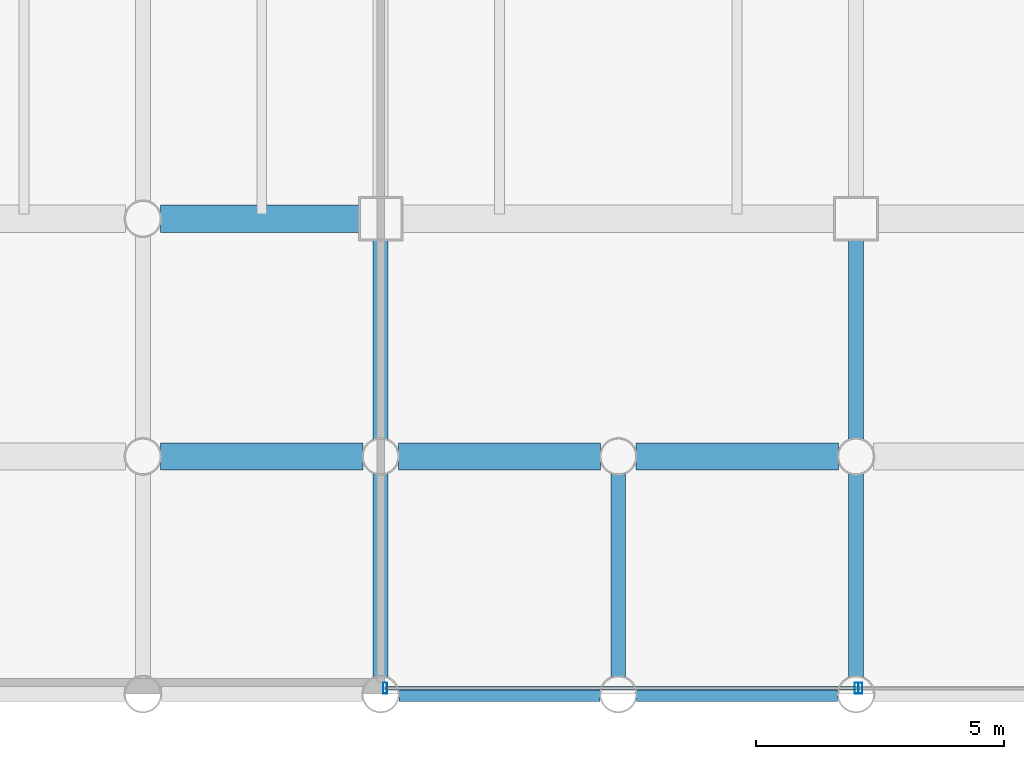
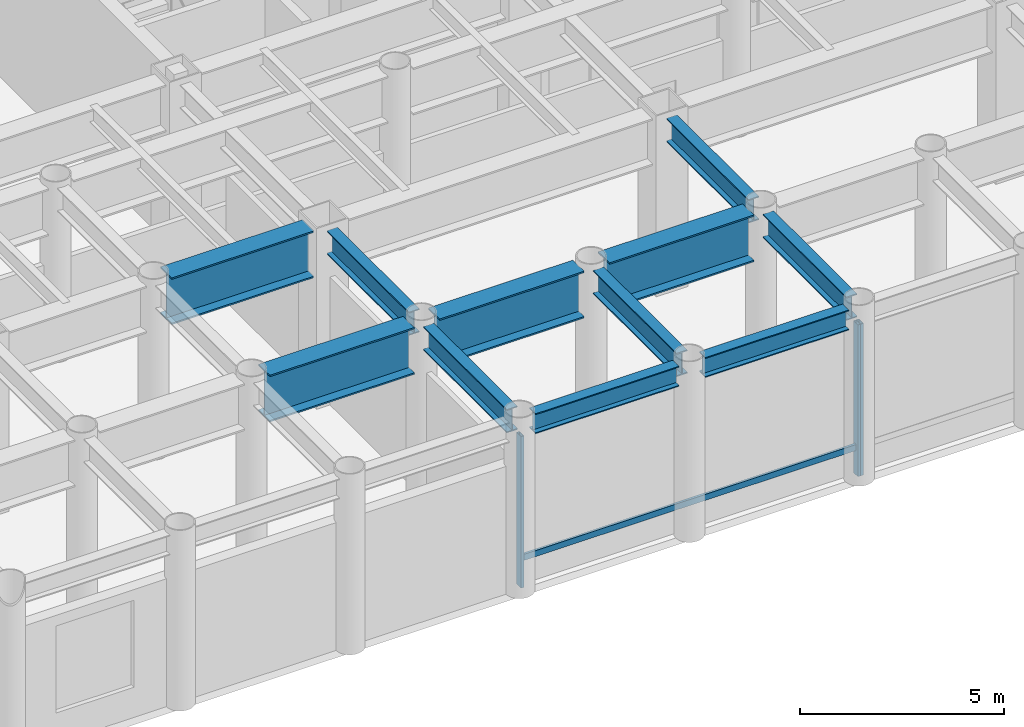
# One storey, part 2 of 20: 11 beams, 4 members, 2 elements without a shape of their own.
"""IFC4 building model written with IfcOpenShell, lengths in metres."""

import ifcopenshell
import ifcopenshell.guid

model = None  # the IFC model being written
_history = None  # IfcOwnerHistory: only IFC2X3 demands one
_inside = {}  # id of a spatial element -> (the spatial element, [elements in it])
_under = {}  # id of a project, library or spatial element -> (it, [spatial elements below it])
_declared = {}  # id of a project -> (the project, [libraries it declares])
_typed = {}  # id of a type object -> (the type object, [elements of that type])
_made_of = {}  # id of a material, layer set ... -> (it, [elements and type objects made of it])


def new_model(schema):
    """Start an empty IFC model of exactly this schema.

    Asked for "IFC4X3", IfcOpenShell would pick the latest addendum, in which some entities
    have other attributes; the version numbers below select the first issue.
    IFC2X3 requires an IfcOwnerHistory on every rooted entity: one is made here for all.
    """
    global model, _history
    if schema == "IFC4X3":
        model = ifcopenshell.file(schema_version=(4, 3, 0, 0))
    else:
        model = ifcopenshell.file(schema=schema)
    _inside.clear()
    _under.clear()
    _declared.clear()
    _typed.clear()
    _made_of.clear()
    _history = None
    if model.schema == "IFC2X3":
        org = make("IfcOrganization", Name="unknown")
        user = make(
            "IfcPersonAndOrganization",
            ThePerson=make("IfcPerson", FamilyName="unknown"),
            TheOrganization=org,
        )
        app = make(
            "IfcApplication",
            ApplicationDeveloper=org,
            Version="unknown",
            ApplicationFullName="unknown",
            ApplicationIdentifier="unknown",
        )
        _history = make(
            "IfcOwnerHistory",
            OwningUser=user,
            OwningApplication=app,
            ChangeAction="ADDED",
            CreationDate=0,
        )
    return model


def make(cls, **values):
    """One entity of the class cls with the attributes given. An attribute that is None is left unset."""
    return model.create_entity(
        cls, **{name: value for name, value in values.items() if value is not None}
    )


def rooted(cls, **values):
    """An entity with a GlobalId (a new one), such as an element, a storey or a relation."""
    return make(cls, GlobalId=ifcopenshell.guid.new(), OwnerHistory=_history, **values)


def si_unit(unit_type, name, prefix=None):
    """IfcSIUnit, for example si_unit("LENGTHUNIT", "METRE", prefix="MILLI")."""
    return make("IfcSIUnit", UnitType=unit_type, Prefix=prefix, Name=name)


def assignment(units):
    """IfcUnitAssignment: the units of a project."""
    return None if units is None else make("IfcUnitAssignment", Units=units)


def point(xyz):
    """IfcCartesianPoint."""
    return None if xyz is None else make("IfcCartesianPoint", Coordinates=xyz)


def direction(xyz):
    """IfcDirection."""
    return None if xyz is None else make("IfcDirection", DirectionRatios=xyz)


def frame(location, z_axis=None, x_axis=None):
    """IfcAxis2Placement3D, a coordinate frame: its origin and axes. An axis left out is left unset."""
    return make(
        "IfcAxis2Placement3D",
        Location=point(location),
        Axis=direction(z_axis),
        RefDirection=direction(x_axis),
    )


def frame_2d(location, x_axis=None):
    """IfcAxis2Placement2D, a coordinate frame in the plane: its origin and x axis."""
    return make(
        "IfcAxis2Placement2D", Location=point(location), RefDirection=direction(x_axis)
    )


def origin():
    """The frame at (0, 0, 0) with its axes left unset."""
    return frame((0.0, 0.0, 0.0))


def origin_2d():
    """The frame at (0, 0) in the plane with its x axis left unset."""
    return frame_2d((0.0, 0.0))


def place(relative_to, where):
    """IfcLocalPlacement: puts the frame where relative to a parent placement (None: the world)."""
    return make(
        "IfcLocalPlacement", PlacementRelTo=relative_to, RelativePlacement=where
    )


def context(
    kind, dimensions, precision=None, world=None, true_north=None, identifier=None
):
    """IfcGeometricRepresentationContext, for example the 3D "Model" context."""
    return make(
        "IfcGeometricRepresentationContext",
        ContextIdentifier=identifier,
        ContextType=kind,
        CoordinateSpaceDimension=dimensions,
        Precision=precision,
        WorldCoordinateSystem=world,
        TrueNorth=true_north,
    )


def subcontext(parent, identifier, kind, view, scale=None):
    """IfcGeometricRepresentationSubContext, for example "Body" below "Model"."""
    return make(
        "IfcGeometricRepresentationSubContext",
        ContextIdentifier=identifier,
        ContextType=kind,
        ParentContext=parent,
        TargetScale=scale,
        TargetView=view,
    )


def project(units=None, contexts=None):
    """IfcProject with its units and contexts."""
    return rooted(
        "IfcProject",
        Name="project",
        RepresentationContexts=contexts,
        UnitsInContext=assignment(units),
    )


def spatial(cls, under=None, at=None, **own):
    """A site, building, storey or space (cls), placed at a placement, below another one or the project."""
    s = rooted(cls, ObjectPlacement=at, **own)
    if under is not None:
        _under.setdefault(under.id(), (under, []))[1].append(s)
    return s


def profile(cls, at=None, kind="AREA", **sizes):
    """A parametric profile (cls). Its sizes go by their IFC names, for example OverallWidth=200.0."""
    return make(cls, ProfileType=kind, Position=at, **sizes)


def hollow_rectangle(**sizes):
    """IfcRectangleHollowProfileDef."""
    return profile("IfcRectangleHollowProfileDef", **sizes)


def i_section(**sizes):
    """IfcIShapeProfileDef."""
    return profile("IfcIShapeProfileDef", **sizes)


def extrude(swept, where, along, depth):
    """IfcExtrudedAreaSolid: the profile swept, set in the frame where, extruded along a direction by depth."""
    return make(
        "IfcExtrudedAreaSolid",
        SweptArea=swept,
        Position=where,
        ExtrudedDirection=direction(along),
        Depth=depth,
    )


def shape(context_of_items, identifier, shape_type, items):
    """IfcShapeRepresentation: the items that make up one representation, for example the "Body"."""
    return make(
        "IfcShapeRepresentation",
        ContextOfItems=context_of_items,
        RepresentationIdentifier=identifier,
        RepresentationType=shape_type,
        Items=items,
    )


def material(Name=None, Category=None):
    """IfcMaterial."""
    return make("IfcMaterial", Name=Name, Category=Category)


def layer(
    of_material, thickness, ventilated=None, Name=None, Category=None, Priority=None
):
    """IfcMaterialLayer: one layer of a wall or slab, of a material (None: an air gap)."""
    return make(
        "IfcMaterialLayer",
        Material=of_material,
        LayerThickness=thickness,
        IsVentilated=ventilated,
        Name=Name,
        Category=Category,
        Priority=Priority,
    )


def layer_set(layers, Name=None):
    """IfcMaterialLayerSet."""
    return make("IfcMaterialLayerSet", MaterialLayers=layers, LayerSetName=Name)


def material_profile(
    of_material, cross_section, Name=None, Category=None, Priority=None
):
    """IfcMaterialProfile: a cross section and its material."""
    return make(
        "IfcMaterialProfile",
        Name=Name,
        Material=of_material,
        Profile=cross_section,
        Priority=Priority,
        Category=Category,
    )


def profile_set(profiles, Name=None, composite=None):
    """IfcMaterialProfileSet."""
    return make(
        "IfcMaterialProfileSet",
        Name=Name,
        MaterialProfiles=profiles,
        CompositeProfile=composite,
    )


def made_of(thing, what):
    """Note that an element or type object is made of a material, layer set ...; save() writes the relation."""
    if what is not None:
        _made_of.setdefault(what.id(), (what, []))[1].append(thing)
    return thing


def type_object(cls, material=None, **own):
    """A type object (cls), such as IfcWallType, which elements share."""
    return made_of(rooted(cls, **own), material)


def element(
    cls,
    number,
    at=None,
    inside=None,
    cuts=None,
    type_object=None,
    material=None,
    context=None,
    identifier="Body",
    shape_type=None,
    held_by="IfcProductDefinitionShape",
    body=None,
    shapes=None,
    **own,
):
    """One element of the class cls, such as IfcWall. Its Tag is "e" and its number.

    at: its placement. inside: the storey or other place that contains it. cuts: it is an
    opening in that element (IfcRelVoidsElement). A single representation is given by context,
    identifier, shape_type and body (its items); several are given by shapes. held_by: the class
    of the entity that holds the representations. save() writes the other relations.
    """
    e = rooted(cls, Tag="e%d" % number, ObjectPlacement=at, **own)
    if body is not None:
        shapes = [shape(context, identifier, shape_type, body)]
    if shapes is not None:
        e.Representation = make(held_by, Representations=shapes)
    if inside is not None:
        _inside.setdefault(inside.id(), (inside, []))[1].append(e)
    if cuts is not None:
        rooted(
            "IfcRelVoidsElement", RelatingBuildingElement=cuts, RelatedOpeningElement=e
        )
    if type_object is not None:
        _typed.setdefault(type_object.id(), (type_object, []))[1].append(e)
    return made_of(e, material)


def aggregate(whole, parts):
    """IfcRelAggregates: a whole, such as a stair, and the parts it consists of."""
    return rooted("IfcRelAggregates", RelatingObject=whole, RelatedObjects=parts)


def save(model, path):
    """Write the relations noted so far, then the file.

    IfcRelAggregates (storeys below a building ...), IfcRelContainedInSpatialStructure (elements
    in a storey), IfcRelDefinesByType, IfcRelAssociatesMaterial and IfcRelDeclares: one each for
    every whole, place, type object, material and project.
    """
    for whole, parts in _under.values():
        aggregate(whole, parts)
    for where, things in _inside.values():
        rooted(
            "IfcRelContainedInSpatialStructure",
            RelatedElements=things,
            RelatingStructure=where,
        )
    for kind, things in _typed.values():
        rooted("IfcRelDefinesByType", RelatedObjects=things, RelatingType=kind)
    for what, things in _made_of.values():
        rooted("IfcRelAssociatesMaterial", RelatedObjects=things, RelatingMaterial=what)
    for by, libraries in _declared.values():
        rooted("IfcRelDeclares", RelatingContext=by, RelatedDefinitions=libraries)
    model.write(path)


model = new_model("IFC4")

# Units and contexts
model_context = context("Model", 3, precision=1e-05, world=origin(), true_north=direction((0.0, 1.0)))
body_context = subcontext(model_context, "Body", "Model", "MODEL_VIEW")
ifc_project = project(units=[si_unit("LENGTHUNIT", "METRE"), si_unit("AREAUNIT", "SQUARE_METRE"), si_unit("VOLUMEUNIT", "CUBIC_METRE"), si_unit("PLANEANGLEUNIT", "RADIAN"), si_unit("MASSUNIT", "GRAM", prefix="KILO")], contexts=[model_context])

# Site, building, storey
site_placement = place(None, origin())
site = spatial("IfcSite", under=ifc_project, at=site_placement, CompositionType="ELEMENT")
building_placement = place(site_placement, origin())
building = spatial("IfcBuilding", under=site, at=building_placement, Name="Kallvorn Hotel Tower", CompositionType="ELEMENT")
storey_placement = place(building_placement, frame((0.0, 0.0, 24.60009765625)))
storey = spatial("IfcBuildingStorey", under=building, at=storey_placement, Name="L04", CompositionType="ELEMENT", Elevation=24.60009765625)

# Beams
ifc_material_1 = material(Name="Structural steel S355JR", Category="steel")
ifc_material_profile_1 = material_profile(ifc_material_1, i_section(OverallWidth=0.300048828125, OverallDepth=0.60009765625, WebThickness=0.015380859375, FlangeThickness=0.030029296875, at=origin_2d()), Name="HE 600 B")
ifc_profile_set_1 = profile_set([ifc_material_profile_1], Name="Structural steel S355JR")
beam_type_1 = type_object("IfcBeamType", Name="BM_HE600B", PredefinedType="SPANDREL", material=ifc_profile_set_1)
for number, where, z_axis, x_axis, name in (
    (1, (-14.029052734375, -24.0, 4.919921875), (1.0, 0.0, 0.0), (0.0, 1.0, 0.0), "L05 Perimeter Spandrel 183"),
    (2, (-9.22900390625, -24.0, 4.919921875), (1.0, 0.0, 0.0), (0.0, 1.0, 0.0), "L05 Perimeter Spandrel 184"),
):
    element("IfcBeam", number, at=place(storey_placement, frame(where, z_axis=z_axis, x_axis=x_axis)), inside=storey, type_object=beam_type_1, Name=name, PredefinedType="SPANDREL", context=body_context, shape_type="SweptSolid", body=[
        extrude(i_section(OverallWidth=0.300048828125, OverallDepth=0.60009765625, WebThickness=0.015380859375, FlangeThickness=0.030029296875, at=origin_2d()), origin(), (0.0, 0.0, 1.0), 4.05810546875),
    ])
ifc_material_2 = material(Name="Structural steel S355JR", Category="steel")
ifc_material_profile_2 = material_profile(ifc_material_2, i_section(OverallWidth=0.300048828125, OverallDepth=0.699951171875, WebThickness=0.01708984375, FlangeThickness=0.031982421875, at=origin_2d()), Name="HE 700 B")
ifc_profile_set_2 = profile_set([ifc_material_profile_2], Name="Structural steel S355JR")
beam_type_2 = type_object("IfcBeamType", Name="BM_HE700B", PredefinedType="BEAM", material=ifc_profile_set_2)
beam_1_placement = place(storey_placement, frame((-14.39990234375, -23.64404296875, 4.869873046875), z_axis=(0.0, 1.0, 0.0), x_axis=(-1.0, 0.0, 0.0)))
element("IfcBeam", 3, at=beam_1_placement, inside=storey, type_object=beam_type_2, Name="L05 Primary Y-Girder 116", PredefinedType="BEAM", context=body_context, shape_type="SweptSolid", body=[
    extrude(i_section(OverallWidth=0.300048828125, OverallDepth=0.699951171875, WebThickness=0.01708984375, FlangeThickness=0.031982421875, at=origin_2d()), origin(), (0.0, 0.0, 1.0), 4.088134765625),
])
beam_2_placement = place(storey_placement, frame((-14.39990234375, -18.843994140625, 4.869873046875), z_axis=(0.0, 1.0, 0.0), x_axis=(-1.0, 0.0, 0.0)))
element("IfcBeam", 4, at=beam_2_placement, inside=storey, type_object=beam_type_2, Name="L05 Primary Y-Girder 117", PredefinedType="BEAM", context=body_context, shape_type="SweptSolid", body=[
    extrude(i_section(OverallWidth=0.300048828125, OverallDepth=0.699951171875, WebThickness=0.01708984375, FlangeThickness=0.031982421875, at=origin_2d()), origin(), (0.0, 0.0, 1.0), 4.01904296875),
])
for number, where, z_axis, x_axis, name in (
    (5, (-9.60009765625, -23.64404296875, 4.869873046875), (0.0, 1.0, 0.0), (-1.0, 0.0, 0.0), "L05 Primary Y-Girder 122"),
    (6, (-4.800048828125, -23.64404296875, 4.869873046875), (0.0, 1.0, 0.0), (-1.0, 0.0, 0.0), "L05 Primary Y-Girder 126"),
):
    element("IfcBeam", number, at=place(storey_placement, frame(where, z_axis=z_axis, x_axis=x_axis)), inside=storey, type_object=beam_type_2, Name=name, PredefinedType="BEAM", context=body_context, shape_type="SweptSolid", body=[
        extrude(i_section(OverallWidth=0.300048828125, OverallDepth=0.699951171875, WebThickness=0.01708984375, FlangeThickness=0.031982421875, at=origin_2d()), origin(), (0.0, 0.0, 1.0), 4.088134765625),
    ])
beam_3_placement = place(storey_placement, frame((-4.800048828125, -18.843994140625, 4.869873046875), z_axis=(0.0, 1.0, 0.0), x_axis=(-1.0, 0.0, 0.0)))
element("IfcBeam", 7, at=beam_3_placement, inside=storey, type_object=beam_type_2, Name="L05 Primary Y-Girder 127", PredefinedType="BEAM", context=body_context, shape_type="SweptSolid", body=[
    extrude(i_section(OverallWidth=0.300048828125, OverallDepth=0.699951171875, WebThickness=0.01708984375, FlangeThickness=0.031982421875, at=origin_2d()), origin(), (0.0, 0.0, 1.0), 4.01904296875),
])
ifc_material_3 = material(Name="Structural steel S355JR", Category="steel")
ifc_material_profile_3 = material_profile(ifc_material_3, i_section(OverallWidth=0.550048828125, OverallDepth=1.39990234375, WebThickness=0.02490234375, FlangeThickness=0.044921875, at=origin_2d()), Name="PG 1400x550x25x45")
ifc_profile_set_3 = profile_set([ifc_material_profile_3], Name="Structural steel S355JR")
beam_type_3 = type_object("IfcBeamType", Name="BM_PG_1400", PredefinedType="BEAM", material=ifc_profile_set_3)
for number, where, z_axis, x_axis, name in (
    (8, (-18.843994140625, -19.199951171875, 4.52001953125), (1.0, 0.0, 0.0), (0.0, 1.0, 0.0), "L05 Primary X-Girder 12"),
    (9, (-14.0439453125, -19.199951171875, 4.52001953125), (1.0, 0.0, 0.0), (0.0, 1.0, 0.0), "L05 Primary X-Girder 13"),
    (10, (-9.243896484375, -19.199951171875, 4.52001953125), (1.0, 0.0, 0.0), (0.0, 1.0, 0.0), "L05 Primary X-Girder 14"),
):
    element("IfcBeam", number, at=place(storey_placement, frame(where, z_axis=z_axis, x_axis=x_axis)), inside=storey, type_object=beam_type_3, Name=name, PredefinedType="BEAM", context=body_context, shape_type="SweptSolid", body=[
        extrude(i_section(OverallWidth=0.550048828125, OverallDepth=1.39990234375, WebThickness=0.02490234375, FlangeThickness=0.044921875, at=origin_2d()), origin(), (0.0, 0.0, 1.0), 4.087890625),
    ])
beam_4_placement = place(storey_placement, frame((-18.843994140625, -14.39990234375, 4.52001953125), z_axis=(1.0, 0.0, 0.0), x_axis=(0.0, 1.0, 0.0)))
element("IfcBeam", 11, at=beam_4_placement, inside=storey, type_object=beam_type_3, Name="L05 Primary X-Girder 26", PredefinedType="BEAM", context=body_context, shape_type="SweptSolid", body=[
    extrude(i_section(OverallWidth=0.550048828125, OverallDepth=1.39990234375, WebThickness=0.02490234375, FlangeThickness=0.044921875, at=origin_2d()), origin(), (0.0, 0.0, 1.0), 4.01904296875),
])

# Curtain wall, members
ifc_material_4 = material(Name="Thermally broken black-anodised aluminium AA 6063-T6", Category="aluminium")
ifc_layer = layer(ifc_material_4, 0.219970703125)
ifc_layer_set = layer_set([ifc_layer], Name="CW_SYS_2_PODIUM_CASC")
curtain_wall_type = type_object("IfcCurtainWallType", Name="CW_SYS_2_PODIUM_CASC", PredefinedType="USERDEFINED", material=ifc_layer_set)
curtain_wall_1_placement = place(storey_placement, origin())
curtain_wall_1 = element("IfcCurtainWall", 12, at=curtain_wall_1_placement, inside=storey, type_object=curtain_wall_type, Name="L04 Dark-Glass Curtain Wall CW-L04-S1", ObjectType="UNITISED CURTAIN WALL", PredefinedType="USERDEFINED")
ifc_material_5 = material(Name="Thermally broken black-anodised aluminium AA 6063-T6", Category="aluminium")
ifc_material_profile_4 = material_profile(ifc_material_5, hollow_rectangle(XDim=0.080078125, YDim=0.219970703125, WallThickness=0.0048828125, at=origin_2d()), Name="MUL 220x80")
ifc_profile_set_4 = profile_set([ifc_material_profile_4], Name="Thermally broken black-anodised aluminium AA 6063-T6")
member_type_1 = type_object("IfcMemberType", Name="CW_MULLION_220x80", PredefinedType="MULLION", material=ifc_profile_set_4)
member_1_placement = place(storey_placement, frame((-14.31005859375, -23.8798828125, 0.02001953125), z_axis=(0.0, 0.0, 1.0), x_axis=(1.0, 0.0, 0.0)))
member_1 = element("IfcMember", 13, at=member_1_placement, type_object=member_type_1, Name="CW-L04-S1 Mullion 00", PredefinedType="MULLION", context=body_context, shape_type="SweptSolid", body=[
    extrude(hollow_rectangle(XDim=0.080078125, YDim=0.219970703125, WallThickness=0.0048828125, at=origin_2d()), origin(), (0.0, 0.0, 1.0), 4.52978515625),
])
member_2_placement = place(storey_placement, frame((-4.7900390625, -23.8798828125, 0.02001953125), z_axis=(0.0, 0.0, 1.0), x_axis=(1.0, 0.0, 0.0)))
member_2 = element("IfcMember", 14, at=member_2_placement, type_object=member_type_1, Name="CW-L04-S1 Mullion 01", PredefinedType="MULLION", context=body_context, shape_type="SweptSolid", body=[
    extrude(hollow_rectangle(XDim=0.080078125, YDim=0.219970703125, WallThickness=0.0048828125, at=origin_2d()), origin(), (0.0, 0.0, 1.0), 4.52978515625),
])

# Curtain wall, member
curtain_wall_2_placement = place(storey_placement, origin())
curtain_wall_2 = element("IfcCurtainWall", 15, at=curtain_wall_2_placement, inside=storey, type_object=curtain_wall_type, Name="L04 Dark-Glass Curtain Wall CW-L04-S2", ObjectType="UNITISED CURTAIN WALL", PredefinedType="USERDEFINED")
member_3_placement = place(storey_placement, frame((-4.7099609375, -23.8798828125, 0.02001953125), z_axis=(0.0, 0.0, 1.0), x_axis=(1.0, 0.0, 0.0)))
member_3 = element("IfcMember", 16, at=member_3_placement, type_object=member_type_1, Name="CW-L04-S2 Mullion 00", PredefinedType="MULLION", context=body_context, shape_type="SweptSolid", body=[
    extrude(hollow_rectangle(XDim=0.080078125, YDim=0.219970703125, WallThickness=0.0048828125, at=origin_2d()), origin(), (0.0, 0.0, 1.0), 4.52978515625),
])
aggregate(curtain_wall_2, [member_3])

# Member
ifc_material_6 = material(Name="Thermally broken black-anodised aluminium AA 6063-T6", Category="aluminium")
ifc_material_profile_5 = material_profile(ifc_material_6, hollow_rectangle(XDim=0.070068359375, YDim=0.179931640625, WallThickness=0.00390625, at=origin_2d()), Name="TRN 180x70")
ifc_profile_set_5 = profile_set([ifc_material_profile_5], Name="Thermally broken black-anodised aluminium AA 6063-T6")
member_type_2 = type_object("IfcMemberType", Name="CW_TRANSOM_180x70", PredefinedType="USERDEFINED", material=ifc_profile_set_5)
member_4_placement = place(storey_placement, frame((-14.31005859375, -23.8798828125, 0.849853515625), z_axis=(1.0, 0.0, 0.0), x_axis=(0.0, 1.0, 0.0)))
member_4 = element("IfcMember", 17, at=member_4_placement, type_object=member_type_2, Name="CW-L04-S1 Transom 00M", ObjectType="TRANSOM", PredefinedType="USERDEFINED", context=body_context, shape_type="SweptSolid", body=[
    extrude(hollow_rectangle(XDim=0.070068359375, YDim=0.179931640625, WallThickness=0.00390625, at=origin_2d()), origin(), (0.0, 0.0, 1.0), 9.52001953125),
])

aggregate(curtain_wall_1, [member_1, member_2, member_4])

save(model, "model.ifc")
